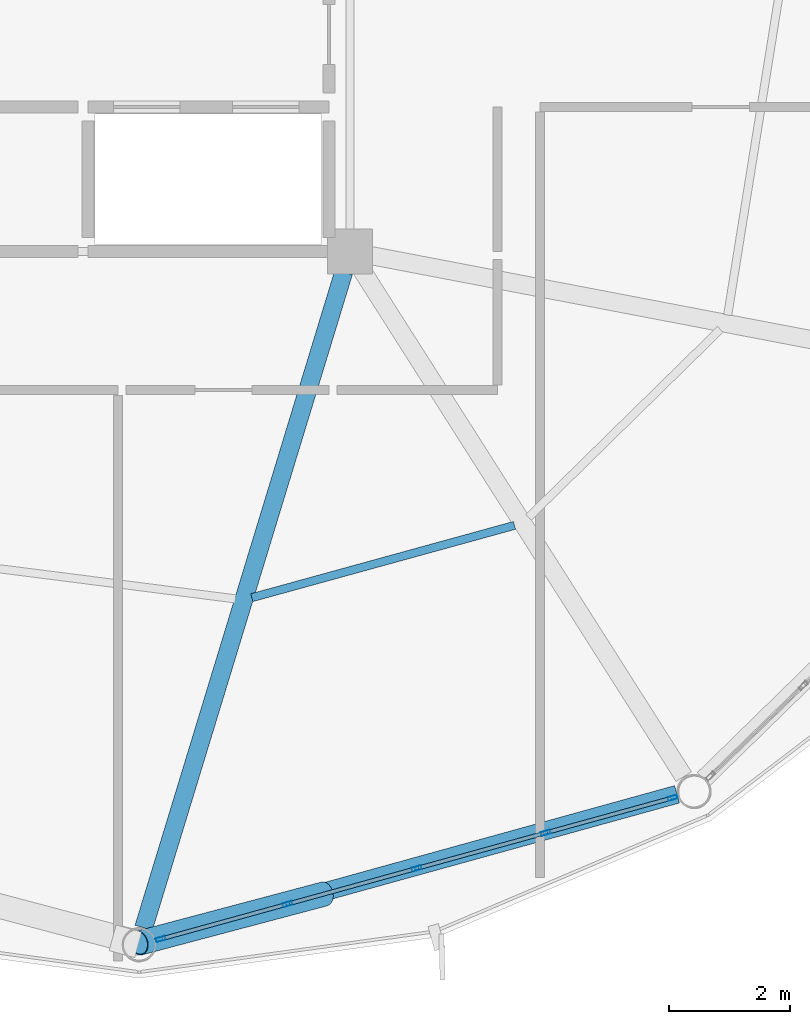
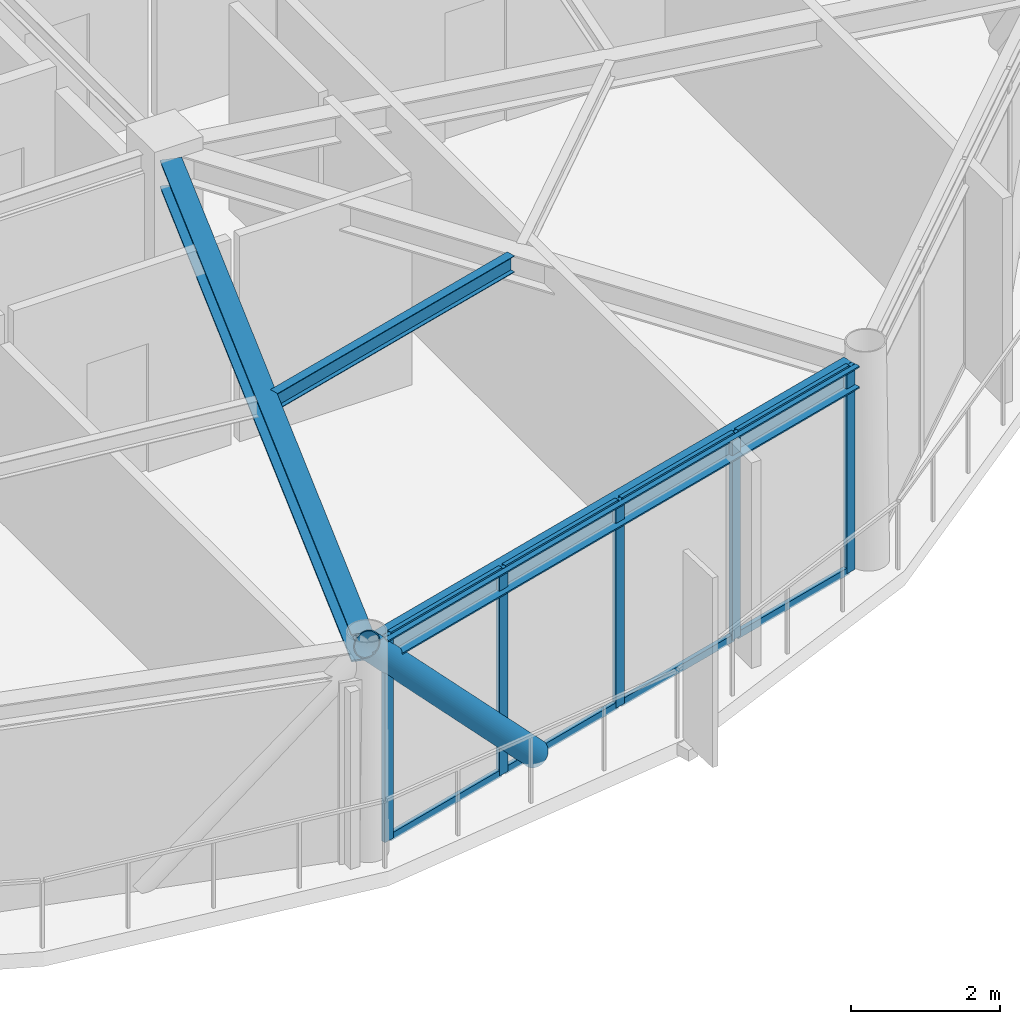
# One storey, part 7 of 27: 14 members, 3 beams, 1 element without a shape of its own.
"""IFC4 building model written with IfcOpenShell, lengths in metres."""

from ifc_helpers import new_model, si_unit, direction, frame, origin, origin_2d, place, context, subcontext, project, spatial, hollow_rectangle, hollow_circle, i_section, extrude, material, layer, layer_set, material_profile, profile_set, type_object, element, aggregate, save


model = new_model("IFC4")

# Units and contexts
model_context = context("Model", 3, precision=1e-05, world=origin(), true_north=direction((0.0, 1.0)))
body_context = subcontext(model_context, "Body", "Model", "MODEL_VIEW")
ifc_project = project(units=[si_unit("LENGTHUNIT", "METRE"), si_unit("AREAUNIT", "SQUARE_METRE"), si_unit("VOLUMEUNIT", "CUBIC_METRE"), si_unit("PLANEANGLEUNIT", "RADIAN"), si_unit("MASSUNIT", "GRAM", prefix="KILO")], contexts=[model_context])

# Site, building, storey
site_placement = place(None, origin())
site = spatial("IfcSite", under=ifc_project, at=site_placement, CompositionType="ELEMENT")
building_placement = place(site_placement, origin())
building = spatial("IfcBuilding", under=site, at=building_placement, Name="Varnakorn Sky Granary", CompositionType="ELEMENT")
storey_placement = place(building_placement, frame((0.0, 0.0, 245.39990234375)))
storey = spatial("IfcBuildingStorey", under=building, at=storey_placement, Name="L62", CompositionType="ELEMENT", Elevation=245.39990234375)

# Beams
ifc_material_1 = material(Name="Steel S355JR", Category="steel")
ifc_material_profile_1 = material_profile(ifc_material_1, i_section(OverallWidth=0.300048828125, OverallDepth=0.449951171875, WebThickness=0.013916015625, FlangeThickness=0.02587890625, at=origin_2d()), Name="HE 450 B")
ifc_profile_set_1 = profile_set([ifc_material_profile_1], Name="Steel S355JR")
beam_type_1 = type_object("IfcBeamType", Name="BM-RAD-Z5", PredefinedType="BEAM", material=ifc_profile_set_1)
beam_1_placement = place(storey_placement, frame((8.246337890625, -6.939697265625, 3.135009765625), z_axis=(-0.291779021275, -0.956485756686, 0.0), x_axis=(0.956485756686, -0.291779021275, 0.0)))
element("IfcBeam", 1, at=beam_1_placement, inside=storey, type_object=beam_type_1, Name="Radial Floor Girder RG10 L62", PredefinedType="BEAM", context=body_context, shape_type="SweptSolid", body=[
    extrude(i_section(OverallWidth=0.300048828125, OverallDepth=0.449951171875, WebThickness=0.013916015625, FlangeThickness=0.02587890625, at=origin_2d()), origin(), (0.0, 0.0, 1.0), 11.375244140625),
])
ifc_material_profile_2 = material_profile(ifc_material_1, i_section(OverallWidth=0.135009765625, OverallDepth=0.27001953125, WebThickness=0.006591796875, FlangeThickness=0.01025390625, at=origin_2d()), Name="IPE 270")
ifc_profile_set_2 = profile_set([ifc_material_profile_2], Name="Steel S355JR")
beam_type_2 = type_object("IfcBeamType", Name="BM-SEC-Z5", PredefinedType="BEAM", material=ifc_profile_set_2)
beam_2_placement = place(storey_placement, frame((6.7216796875, -12.342529296875, 3.22509765625), z_axis=(0.964129052738, 0.265433927119, 0.0), x_axis=(-0.265433927119, 0.964129052738, 0.0)))
element("IfcBeam", 2, at=beam_2_placement, inside=storey, type_object=beam_type_2, Name="Secondary Floor Chord Beam MSB10 L62", PredefinedType="BEAM", context=body_context, shape_type="SweptSolid", body=[
    extrude(i_section(OverallWidth=0.135009765625, OverallDepth=0.27001953125, WebThickness=0.006591796875, FlangeThickness=0.01025390625, at=origin_2d()), origin(), (0.0, 0.0, 1.0), 4.519775390625),
])
ifc_material_profile_3 = material_profile(ifc_material_1, i_section(OverallWidth=0.300048828125, OverallDepth=0.360107421875, WebThickness=0.012451171875, FlangeThickness=0.0224609375, at=origin_2d()), Name="HE 360 B")
ifc_profile_set_3 = profile_set([ifc_material_profile_3], Name="Steel S355JR")
beam_type_3 = type_object("IfcBeamType", Name="BM-SPD-Z5", PredefinedType="SPANDREL", material=ifc_profile_set_3)
beam_3_placement = place(storey_placement, frame((5.10498046875, -18.00244140625, 3.18017578125), z_axis=(0.963837228855, 0.266491643909, 0.0), x_axis=(-0.266491643909, 0.963837228855, 0.0)))
element("IfcBeam", 3, at=beam_3_placement, inside=storey, type_object=beam_type_3, Name="Perimeter Spandrel Ring Beam RB10 L62", PredefinedType="SPANDREL", context=body_context, shape_type="SweptSolid", body=[
    extrude(i_section(OverallWidth=0.300048828125, OverallDepth=0.360107421875, WebThickness=0.012451171875, FlangeThickness=0.0224609375, at=origin_2d()), origin(), (0.0, 0.0, 1.0), 8.995361328125),
])

# Curtain wall, members
ifc_material_2 = material(Name="Anodised Bronze Aluminium Alloy 6063-T6", Category="aluminium")
ifc_layer = layer(ifc_material_2, 0.159912109375, Name="Anodised Bronze Aluminium Alloy 6063-T6")
ifc_layer_set = layer_set([ifc_layer], Name="Anodised Bronze Aluminium Alloy 6063-T6")
curtain_wall_type = type_object("IfcCurtainWallType", Name="CW-OFF-1", PredefinedType="USERDEFINED", material=ifc_layer_set)
curtain_wall_placement = place(storey_placement, origin())
curtain_wall = element("IfcCurtainWall", 4, at=curtain_wall_placement, inside=storey, type_object=curtain_wall_type, Name="Unitised Curtain Wall CW6 CW-L62-B10", ObjectType="CURTAIN WALL", PredefinedType="USERDEFINED")
ifc_material_profile_4 = material_profile(ifc_material_2, hollow_rectangle(XDim=0.06494140625, YDim=0.159912109375, WallThickness=0.00341796875, at=origin_2d()), Name="ALU MULL 65x160")
ifc_profile_set_4 = profile_set([ifc_material_profile_4], Name="Anodised Bronze Aluminium Alloy 6063-T6")
member_type_1 = type_object("IfcMemberType", Name="CW-OFF-1-MULL", PredefinedType="MULLION", material=ifc_profile_set_4)
member_1_placement = place(storey_placement, frame((13.705322265625, -15.662353515625, 0.0), z_axis=(0.0, 0.0, 1.0), x_axis=(0.266021744228, -0.963967028273, 0.0)))
member_1 = element("IfcMember", 5, at=member_1_placement, type_object=member_type_1, Name="CW6 mullion 1", PredefinedType="MULLION", context=body_context, shape_type="SweptSolid", body=[
    extrude(hollow_rectangle(XDim=0.06494140625, YDim=0.159912109375, WallThickness=0.00341796875, at=origin_2d()), origin(), (0.0, 0.0, 1.0), 3.360107421875),
])
member_2_placement = place(storey_placement, frame((11.596923828125, -16.244140625, 0.0), z_axis=(0.0, 0.0, 1.0), x_axis=(0.266021744228, -0.963967028273, 0.0)))
member_2 = element("IfcMember", 6, at=member_2_placement, type_object=member_type_1, Name="CW6 mullion 2", PredefinedType="MULLION", context=body_context, shape_type="SweptSolid", body=[
    extrude(hollow_rectangle(XDim=0.06494140625, YDim=0.159912109375, WallThickness=0.00341796875, at=origin_2d()), origin(), (0.0, 0.0, 1.0), 3.360107421875),
])
member_3_placement = place(storey_placement, frame((9.45703125, -16.834716796875, 0.0), z_axis=(0.0, 0.0, 1.0), x_axis=(0.266021744228, -0.963967028273, 0.0)))
member_3 = element("IfcMember", 7, at=member_3_placement, type_object=member_type_1, Name="CW6 mullion 3", PredefinedType="MULLION", context=body_context, shape_type="SweptSolid", body=[
    extrude(hollow_rectangle(XDim=0.06494140625, YDim=0.159912109375, WallThickness=0.00341796875, at=origin_2d()), origin(), (0.0, 0.0, 1.0), 3.360107421875),
])
member_4_placement = place(storey_placement, frame((7.317138671875, -17.42529296875, 0.0), z_axis=(0.0, 0.0, 1.0), x_axis=(0.266021744228, -0.963967028273, 0.0)))
member_4 = element("IfcMember", 8, at=member_4_placement, type_object=member_type_1, Name="CW6 mullion 4", PredefinedType="MULLION", context=body_context, shape_type="SweptSolid", body=[
    extrude(hollow_rectangle(XDim=0.06494140625, YDim=0.159912109375, WallThickness=0.00341796875, at=origin_2d()), origin(), (0.0, 0.0, 1.0), 3.360107421875),
])
member_5_placement = place(storey_placement, frame((5.208740234375, -18.007080078125, 0.0), z_axis=(0.0, 0.0, 1.0), x_axis=(0.266021744228, -0.963967028273, 0.0)))
member_5 = element("IfcMember", 9, at=member_5_placement, type_object=member_type_1, Name="CW6 mullion 5", PredefinedType="MULLION", context=body_context, shape_type="SweptSolid", body=[
    extrude(hollow_rectangle(XDim=0.06494140625, YDim=0.159912109375, WallThickness=0.00341796875, at=origin_2d()), origin(), (0.0, 0.0, 1.0), 3.360107421875),
])
ifc_material_profile_5 = material_profile(ifc_material_2, hollow_rectangle(XDim=0.06494140625, YDim=0.1201171875, WallThickness=0.00341796875, at=origin_2d()), Name="ALU TRAN 65x120")
ifc_profile_set_5 = profile_set([ifc_material_profile_5], Name="Anodised Bronze Aluminium Alloy 6063-T6")
member_type_2 = type_object("IfcMemberType", Name="CW-OFF-1-TRAN", PredefinedType="USERDEFINED", material=ifc_profile_set_5)
member_6_placement = place(storey_placement, frame((13.674072265625, -15.6708984375, 0.03271484375), z_axis=(-0.963954985347, -0.266065379607, 0.0), x_axis=(0.266065379607, -0.963954985347, 0.0)))
member_6 = element("IfcMember", 10, at=member_6_placement, type_object=member_type_2, Name="CW6 transom 1.1", ObjectType="TRANSOM", PredefinedType="USERDEFINED", context=body_context, shape_type="SweptSolid", body=[
    extrude(hollow_rectangle(XDim=0.06494140625, YDim=0.1201171875, WallThickness=0.00341796875, at=origin_2d()), origin(), (0.0, 0.0, 1.0), 2.122314453125),
])
member_7_placement = place(storey_placement, frame((13.674072265625, -15.6708984375, 3.32763671875), z_axis=(-0.963954985347, -0.266065379607, 0.0), x_axis=(0.266065379607, -0.963954985347, 0.0)))
member_7 = element("IfcMember", 11, at=member_7_placement, type_object=member_type_2, Name="CW6 transom 1.2", ObjectType="TRANSOM", PredefinedType="USERDEFINED", context=body_context, shape_type="SweptSolid", body=[
    extrude(hollow_rectangle(XDim=0.06494140625, YDim=0.1201171875, WallThickness=0.00341796875, at=origin_2d()), origin(), (0.0, 0.0, 1.0), 2.122314453125),
])
member_8_placement = place(storey_placement, frame((11.5654296875, -16.252685546875, 0.03271484375), z_axis=(-0.963964569293, -0.266030654525, 0.0), x_axis=(0.266030654525, -0.963964569293, 0.0)))
member_8 = element("IfcMember", 12, at=member_8_placement, type_object=member_type_2, Name="CW6 transom 2.1", ObjectType="TRANSOM", PredefinedType="USERDEFINED", context=body_context, shape_type="SweptSolid", body=[
    extrude(hollow_rectangle(XDim=0.06494140625, YDim=0.1201171875, WallThickness=0.00341796875, at=origin_2d()), origin(), (0.0, 0.0, 1.0), 2.15478515625),
])
member_9_placement = place(storey_placement, frame((11.5654296875, -16.252685546875, 3.32763671875), z_axis=(-0.963964569293, -0.266030654525, 0.0), x_axis=(0.266030654525, -0.963964569293, 0.0)))
member_9 = element("IfcMember", 13, at=member_9_placement, type_object=member_type_2, Name="CW6 transom 2.2", ObjectType="TRANSOM", PredefinedType="USERDEFINED", context=body_context, shape_type="SweptSolid", body=[
    extrude(hollow_rectangle(XDim=0.06494140625, YDim=0.1201171875, WallThickness=0.00341796875, at=origin_2d()), origin(), (0.0, 0.0, 1.0), 2.15478515625),
])
member_10_placement = place(storey_placement, frame((9.42578125, -16.84326171875, 0.03271484375), z_axis=(-0.96397258655, -0.266001602212, 0.0), x_axis=(0.266001602212, -0.96397258655, 0.0)))
member_10 = element("IfcMember", 14, at=member_10_placement, type_object=member_type_2, Name="CW6 transom 3.1", ObjectType="TRANSOM", PredefinedType="USERDEFINED", context=body_context, shape_type="SweptSolid", body=[
    extrude(hollow_rectangle(XDim=0.06494140625, YDim=0.1201171875, WallThickness=0.00341796875, at=origin_2d()), origin(), (0.0, 0.0, 1.0), 2.155029296875),
])
member_11_placement = place(storey_placement, frame((9.42578125, -16.84326171875, 3.32763671875), z_axis=(-0.96397258655, -0.266001602212, 0.0), x_axis=(0.266001602212, -0.96397258655, 0.0)))
member_11 = element("IfcMember", 15, at=member_11_placement, type_object=member_type_2, Name="CW6 transom 3.2", ObjectType="TRANSOM", PredefinedType="USERDEFINED", context=body_context, shape_type="SweptSolid", body=[
    extrude(hollow_rectangle(XDim=0.06494140625, YDim=0.1201171875, WallThickness=0.00341796875, at=origin_2d()), origin(), (0.0, 0.0, 1.0), 2.155029296875),
])
member_12_placement = place(storey_placement, frame((7.285888671875, -17.433837890625, 0.03271484375), z_axis=(-0.963984482758, -0.265958487367, 0.0), x_axis=(0.265958487367, -0.963984482758, 0.0)))
member_12 = element("IfcMember", 16, at=member_12_placement, type_object=member_type_2, Name="CW6 transom 4.1", ObjectType="TRANSOM", PredefinedType="USERDEFINED", context=body_context, shape_type="SweptSolid", body=[
    extrude(hollow_rectangle(XDim=0.06494140625, YDim=0.1201171875, WallThickness=0.00341796875, at=origin_2d()), origin(), (0.0, 0.0, 1.0), 2.122314453125),
])
member_13_placement = place(storey_placement, frame((7.285888671875, -17.433837890625, 3.32763671875), z_axis=(-0.963984482758, -0.265958487367, 0.0), x_axis=(0.265958487367, -0.963984482758, 0.0)))
member_13 = element("IfcMember", 17, at=member_13_placement, type_object=member_type_2, Name="CW6 transom 4.2", ObjectType="TRANSOM", PredefinedType="USERDEFINED", context=body_context, shape_type="SweptSolid", body=[
    extrude(hollow_rectangle(XDim=0.06494140625, YDim=0.1201171875, WallThickness=0.00341796875, at=origin_2d()), origin(), (0.0, 0.0, 1.0), 2.122314453125),
])
aggregate(curtain_wall, [member_1, member_2, member_3, member_4, member_5, member_6, member_7, member_8, member_9, member_10, member_11, member_12, member_13])

# Member
ifc_material_3 = material(Name="Steel S460M", Category="steel")
ifc_material_profile_6 = material_profile(ifc_material_3, hollow_circle(Radius=0.203125, WallThickness=0.01611328125, at=origin_2d()), Name="CHS 406.4x16")
ifc_profile_set_6 = profile_set([ifc_material_profile_6], Name="Steel S460M")
member_type_3 = type_object("IfcMemberType", Name="MB-DIAG-T4", PredefinedType="BRACE", material=ifc_profile_set_6)
member_14_placement = place(storey_placement, frame((7.92138671875, -17.25830078125, 0.0), z_axis=(-0.66412079342, -0.176166223183, 0.726573488063), x_axis=(0.256395145729, -0.966572050727, 0.0)))
element("IfcMember", 18, at=member_14_placement, inside=storey, type_object=member_type_3, Name="Perimeter CHS Diagrid Brace DG10 L62", PredefinedType="BRACE", context=body_context, shape_type="SweptSolid", body=[
    extrude(hollow_circle(Radius=0.203125, WallThickness=0.01611328125, at=origin_2d()), origin(), (0.0, 0.0, 1.0), 4.62451171875),
])

save(model, "model.ifc")
